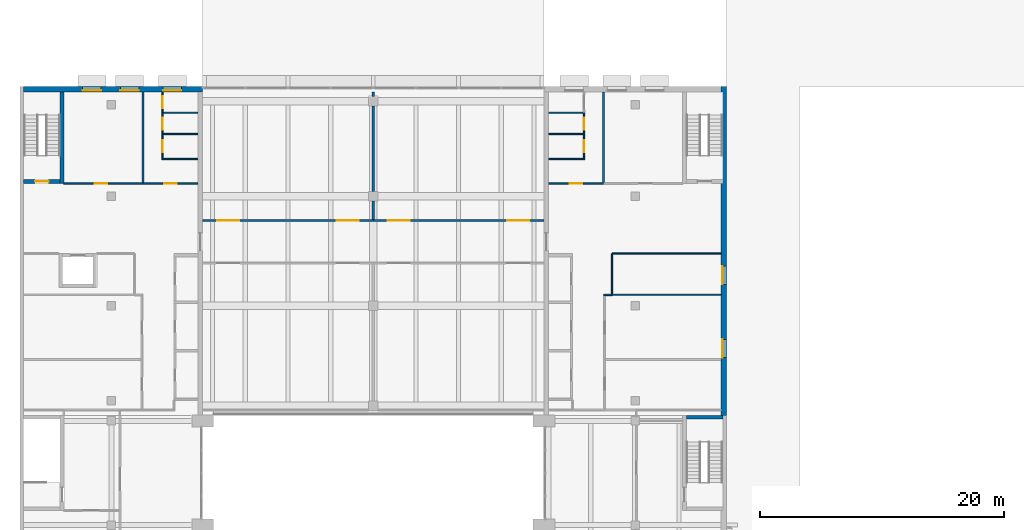
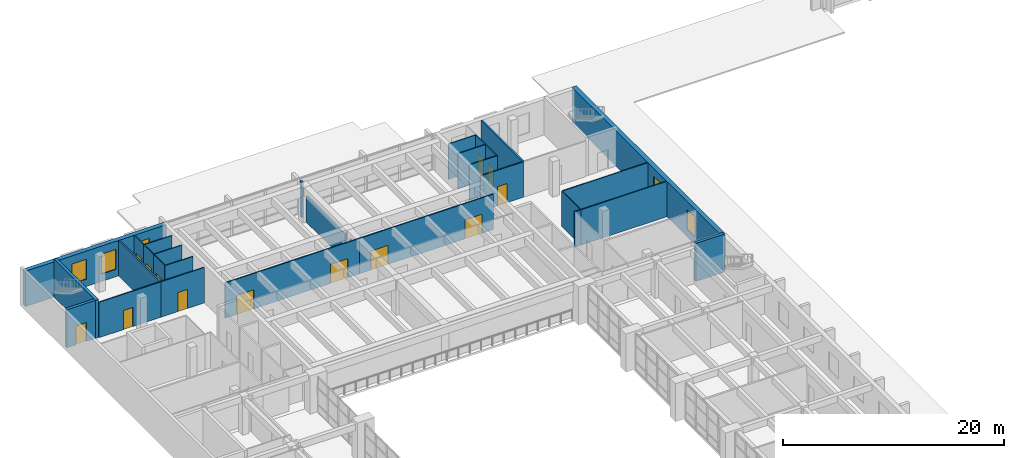
# One storey, part 33 of 45: 30 walls, 13 doors, 5 windows, 18 openings.
"""IFC4 building model written with IfcOpenShell, lengths in metres."""

from ifc_helpers import new_model, si_unit, direction, frame, frame_2d, origin, place, context, subcontext, project, spatial, rectangle, extrude, material, layer, layer_set, type_object, element, fill, save


model = new_model("IFC4")

# Units and contexts
model_context = context("Model", 3, precision=1e-05, world=origin(), true_north=direction((0.0, 1.0)))
body_context = subcontext(model_context, "Body", "Model", "MODEL_VIEW")
ifc_project = project(units=[si_unit("LENGTHUNIT", "METRE"), si_unit("AREAUNIT", "SQUARE_METRE"), si_unit("VOLUMEUNIT", "CUBIC_METRE"), si_unit("PLANEANGLEUNIT", "RADIAN"), si_unit("MASSUNIT", "GRAM", prefix="KILO")], contexts=[model_context])

# Site, building, storey
site_placement = place(None, origin())
site = spatial("IfcSite", under=ifc_project, at=site_placement, CompositionType="ELEMENT")
building_placement = place(site_placement, origin())
building = spatial("IfcBuilding", under=site, at=building_placement, Name="Elmora Arch Market Hall", CompositionType="ELEMENT")
storey_placement = place(building_placement, frame((0.0, 0.0, 6.0)))
storey = spatial("IfcBuildingStorey", under=building, at=storey_placement, Name="L01", CompositionType="ELEMENT", Elevation=6.0)

# Wall, openings, windows
ifc_material_1 = material(Name="Concrete C40/50", Category="concrete")
ifc_layer_1 = layer(ifc_material_1, 0.449951171875)
ifc_layer_set_1 = layer_set([ifc_layer_1], Name="Concrete C40/50")
wall_type_1 = type_object("IfcWallType", Name="Board-marked concrete wall 450", PredefinedType="SOLIDWALL", material=ifc_layer_set_1)
wall_1_placement = place(storey_placement, frame((57.77490234375, 126.0, 0.0), z_axis=(0.0, 0.0, 1.0), x_axis=(0.0, -1.0, 0.0)))
wall_1 = element("IfcWall", 1, at=wall_1_placement, inside=storey, type_object=wall_type_1, Name="Facade wall east NE L01", PredefinedType="SOLIDWALL", context=body_context, shape_type="SweptSolid", body=[
    extrude(rectangle(XDim=27.0, YDim=0.449951171875, at=frame_2d((13.5, 0.0))), origin(), (0.0, 0.0, 1.0), 3.89990234375),
])
opening_1_placement = place(wall_1_placement, frame((20.75, 0.0, 0.800048828125)))
opening_1 = element("IfcOpeningElement", 2, at=opening_1_placement, cuts=wall_1, Name="Opening WP2", PredefinedType="OPENING", context=body_context, shape_type="SweptSolid", body=[
    extrude(rectangle(XDim=1.5, YDim=2.199951171875, at=frame_2d((0.75, 1.10009765625))), frame((0.0, 0.23486328125, 0.0), z_axis=(0.0, -1.0, 0.0), x_axis=(1.0, 0.0, 0.0)), (0.0, 0.0, 1.0), 0.469970703125),
])
opening_2_placement = place(wall_1_placement, frame((14.75, 0.0, 0.800048828125)))
opening_2 = element("IfcOpeningElement", 3, at=opening_2_placement, cuts=wall_1, Name="Opening WP2", PredefinedType="OPENING", context=body_context, shape_type="SweptSolid", body=[
    extrude(rectangle(XDim=1.5, YDim=2.199951171875, at=frame_2d((0.75, 1.10009765625))), frame((0.0, 0.23486328125, 0.0), z_axis=(0.0, -1.0, 0.0), x_axis=(1.0, 0.0, 0.0)), (0.0, 0.0, 1.0), 0.469970703125),
])
ifc_material_2 = material(Name="Aluminium", Category="aluminium")
window_type = type_object("IfcWindowType", Name="Pavilion window 1500x2200", PartitioningType="SINGLE_PANEL", PredefinedType="WINDOW", material=ifc_material_2)
window_1_placement = place(opening_1_placement, origin())
window_1 = element("IfcWindow", 4, at=window_1_placement, inside=storey, type_object=window_type, Name="Window WP2 L01 E15", OverallHeight=2.199951171875, OverallWidth=1.5, PartitioningType="SINGLE_PANEL", PredefinedType="WINDOW", context=body_context, shape_type="SweptSolid", body=[
    extrude(rectangle(XDim=1.5, YDim=2.199951171875, at=frame_2d((0.75, 1.10009765625))), frame((0.0, -0.074951171875, 0.0), z_axis=(0.0, -1.0, 0.0), x_axis=(1.0, 0.0, 0.0)), (0.0, 0.0, 1.0), 0.06005859375),
])
fill(opening_1, window_1)
window_2_placement = place(opening_2_placement, origin())
window_2 = element("IfcWindow", 5, at=window_2_placement, inside=storey, type_object=window_type, Name="Window WP2 L01 E16", OverallHeight=2.199951171875, OverallWidth=1.5, PartitioningType="SINGLE_PANEL", PredefinedType="WINDOW", context=body_context, shape_type="SweptSolid", body=[
    extrude(rectangle(XDim=1.5, YDim=2.199951171875, at=frame_2d((0.75, 1.10009765625))), frame((0.0, -0.074951171875, 0.0), z_axis=(0.0, -1.0, 0.0), x_axis=(1.0, 0.0, 0.0)), (0.0, 0.0, 1.0), 0.06005859375),
])
fill(opening_2, window_2)

wall_2_placement = place(storey_placement, frame((0.300048828125, 125.77490234375, 0.0), z_axis=(0.0, 0.0, 1.0), x_axis=(1.0, 0.0, 0.0)))
wall_2 = element("IfcWall", 6, at=wall_2_placement, inside=storey, type_object=wall_type_1, Name="Facade wall north NW L01", PredefinedType="SOLIDWALL", context=body_context, shape_type="SweptSolid", body=[
    extrude(rectangle(XDim=14.699951171875, YDim=0.449951171875, at=frame_2d((7.35009765625, 0.0))), origin(), (0.0, 0.0, 1.0), 3.89990234375),
])
opening_3_placement = place(wall_2_placement, frame((4.85009765625, 0.0, 0.800048828125)))
opening_3 = element("IfcOpeningElement", 7, at=opening_3_placement, cuts=wall_2, Name="Opening WP2", PredefinedType="OPENING", context=body_context, shape_type="SweptSolid", body=[
    extrude(rectangle(XDim=1.5, YDim=2.199951171875, at=frame_2d((0.75, 1.10009765625))), frame((0.0, 0.23486328125, 0.0), z_axis=(0.0, -1.0, 0.0), x_axis=(1.0, 0.0, 0.0)), (0.0, 0.0, 1.0), 0.469970703125),
])
opening_4_placement = place(wall_2_placement, frame((7.949951171875, 0.0, 0.800048828125)))
opening_4 = element("IfcOpeningElement", 8, at=opening_4_placement, cuts=wall_2, Name="Opening WP2", PredefinedType="OPENING", context=body_context, shape_type="SweptSolid", body=[
    extrude(rectangle(XDim=1.5, YDim=2.199951171875, at=frame_2d((0.75, 1.10009765625))), frame((0.0, 0.23486328125, 0.0), z_axis=(0.0, -1.0, 0.0), x_axis=(1.0, 0.0, 0.0)), (0.0, 0.0, 1.0), 0.469970703125),
])
opening_5_placement = place(wall_2_placement, frame((11.449951171875, 0.0, 0.800048828125)))
opening_5 = element("IfcOpeningElement", 9, at=opening_5_placement, cuts=wall_2, Name="Opening WP2", PredefinedType="OPENING", context=body_context, shape_type="SweptSolid", body=[
    extrude(rectangle(XDim=1.5, YDim=2.199951171875, at=frame_2d((0.75, 1.10009765625))), frame((0.0, 0.23486328125, 0.0), z_axis=(0.0, -1.0, 0.0), x_axis=(1.0, 0.0, 0.0)), (0.0, 0.0, 1.0), 0.469970703125),
])
window_3_placement = place(opening_3_placement, origin())
window_3 = element("IfcWindow", 10, at=window_3_placement, inside=storey, type_object=window_type, Name="Window WP2 L01 N35", OverallHeight=2.199951171875, OverallWidth=1.5, PartitioningType="SINGLE_PANEL", PredefinedType="WINDOW", context=body_context, shape_type="SweptSolid", body=[
    extrude(rectangle(XDim=1.5, YDim=2.199951171875, at=frame_2d((0.75, 1.10009765625))), frame((0.0, -0.074951171875, 0.0), z_axis=(0.0, -1.0, 0.0), x_axis=(1.0, 0.0, 0.0)), (0.0, 0.0, 1.0), 0.06005859375),
])
fill(opening_3, window_3)
window_4_placement = place(opening_4_placement, origin())
window_4 = element("IfcWindow", 11, at=window_4_placement, inside=storey, type_object=window_type, Name="Window WP2 L01 N36", OverallHeight=2.199951171875, OverallWidth=1.5, PartitioningType="SINGLE_PANEL", PredefinedType="WINDOW", context=body_context, shape_type="SweptSolid", body=[
    extrude(rectangle(XDim=1.5, YDim=2.199951171875, at=frame_2d((0.75, 1.10009765625))), frame((0.0, -0.074951171875, 0.0), z_axis=(0.0, -1.0, 0.0), x_axis=(1.0, 0.0, 0.0)), (0.0, 0.0, 1.0), 0.06005859375),
])
fill(opening_4, window_4)
window_5_placement = place(opening_5_placement, origin())
window_5 = element("IfcWindow", 12, at=window_5_placement, inside=storey, type_object=window_type, Name="Window WP2 L01 N37", OverallHeight=2.199951171875, OverallWidth=1.5, PartitioningType="SINGLE_PANEL", PredefinedType="WINDOW", context=body_context, shape_type="SweptSolid", body=[
    extrude(rectangle(XDim=1.5, YDim=2.199951171875, at=frame_2d((0.75, 1.10009765625))), frame((0.0, -0.074951171875, 0.0), z_axis=(0.0, -1.0, 0.0), x_axis=(1.0, 0.0, 0.0)), (0.0, 0.0, 1.0), 0.06005859375),
])
fill(opening_5, window_5)

# Walls
ifc_material_3 = material(Name="Gypsum board on metal studs")
ifc_layer_2 = layer(ifc_material_3, 0.10009765625)
ifc_layer_set_2 = layer_set([ifc_layer_2], Name="Gypsum board on metal studs")
wall_type_2 = type_object("IfcWallType", Name="Partition 100", PredefinedType="PARTITIONING", material=ifc_layer_set_2)
wall_3_placement = place(storey_placement, frame((48.60009765625, 108.89990234375, 0.0), z_axis=(0.0, 0.0, 1.0), x_axis=(1.0, 0.0, 0.0)))
element("IfcWall", 13, at=wall_3_placement, inside=storey, type_object=wall_type_2, Name="Partition PT-L01-047", PredefinedType="PARTITIONING", context=body_context, shape_type="SweptSolid", body=[
    extrude(rectangle(XDim=8.949951171875, YDim=0.10009765625, at=frame_2d((4.47509765625, 0.0))), origin(), (0.0, 0.0, 1.0), 3.89990234375),
])
wall_4_placement = place(storey_placement, frame((48.610107421875, 112.300048828125, 0.0), z_axis=(0.0, 0.0, 1.0), x_axis=(1.0, 0.0, 0.0)))
element("IfcWall", 14, at=wall_4_placement, inside=storey, type_object=wall_type_2, Name="Partition PT-L01-052", PredefinedType="PARTITIONING", context=body_context, shape_type="SweptSolid", body=[
    extrude(rectangle(XDim=8.93994140625, YDim=0.10009765625, at=frame_2d((4.469970703125, 0.0))), origin(), (0.0, 0.0, 1.0), 3.89990234375),
])
for number, where, z_axis, x_axis, name in (
    (15, (11.64990234375, 120.050048828125, 0.0), (0.0, 0.0, 1.0), (1.0, 0.0, 0.0), "Partition PT-L01-059"),
    (16, (43.39990234375, 120.050048828125, 0.0), (0.0, 0.0, 1.0), (1.0, 0.0, 0.0), "Partition PT-L01-060"),
):
    element("IfcWall", number, at=place(storey_placement, frame(where, z_axis=z_axis, x_axis=x_axis)), inside=storey, type_object=wall_type_2, Name=name, PredefinedType="PARTITIONING", context=body_context, shape_type="SweptSolid", body=[
        extrude(rectangle(XDim=2.9501953125, YDim=0.10009765625, at=frame_2d((1.47509765625, 0.0))), origin(), (0.0, 0.0, 1.0), 3.89990234375),
    ])
for number, where, z_axis, x_axis, name in (
    (17, (11.75, 122.10009765625, 0.0), (0.0, 0.0, 1.0), (1.0, 0.0, 0.0), "Partition PT-L01-061"),
    (18, (43.39990234375, 122.10009765625, 0.0), (0.0, 0.0, 1.0), (1.0, 0.0, 0.0), "Partition PT-L01-062"),
    (19, (11.75, 123.85009765625, 0.0), (0.0, 0.0, 1.0), (1.0, 0.0, 0.0), "Partition PT-L01-063"),
    (20, (43.39990234375, 123.85009765625, 0.0), (0.0, 0.0, 1.0), (1.0, 0.0, 0.0), "Partition PT-L01-064"),
):
    element("IfcWall", number, at=place(storey_placement, frame(where, z_axis=z_axis, x_axis=x_axis)), inside=storey, type_object=wall_type_2, Name=name, PredefinedType="PARTITIONING", context=body_context, shape_type="SweptSolid", body=[
        extrude(rectangle(XDim=2.85009765625, YDim=0.10009765625, at=frame_2d((1.425048828125, 0.0))), origin(), (0.0, 0.0, 1.0), 3.89990234375),
    ])

# Wall, opening, door
wall_5_placement = place(storey_placement, frame((11.699951171875, 120.10009765625, 0.0), z_axis=(0.0, 0.0, 1.0), x_axis=(0.0, 1.0, 0.0)))
wall_5 = element("IfcWall", 21, at=wall_5_placement, inside=storey, type_object=wall_type_2, Name="Partition PT-L01-111", PredefinedType="PARTITIONING", context=body_context, shape_type="SweptSolid", body=[
    extrude(rectangle(XDim=2.0, YDim=0.10009765625, at=frame_2d((1.0, 0.0))), origin(), (0.0, 0.0, 1.0), 3.89990234375),
])
opening_6_placement = place(wall_5_placement, frame((0.5, 0.0, 0.0)))
opening_6 = element("IfcOpeningElement", 22, at=opening_6_placement, cuts=wall_5, Name="Opening D-L01-064", PredefinedType="OPENING", context=body_context, shape_type="SweptSolid", body=[
    extrude(rectangle(XDim=1.0, YDim=2.10009765625, at=frame_2d((0.5, 1.050048828125))), frame((0.0, 0.06005859375, 0.0), z_axis=(0.0, -1.0, 0.0), x_axis=(1.0, 0.0, 0.0)), (0.0, 0.0, 1.0), 0.1201171875),
])
ifc_material_4 = material(Name="Timber door set", Category="wood")
door_type_1 = type_object("IfcDoorType", Name="Door 1000 x 2100", OperationType="SINGLE_SWING_LEFT", PredefinedType="DOOR", material=ifc_material_4)
door_1_placement = place(opening_6_placement, frame((1.0, 0.0, 0.0), z_axis=(0.0, 0.0, 1.0), x_axis=(-1.0, 0.0, 0.0)))
door_1 = element("IfcDoor", 23, at=door_1_placement, inside=storey, type_object=door_type_1, Name="D-L01-064", OperationType="SINGLE_SWING_LEFT", OverallHeight=2.10009765625, OverallWidth=1.0, PredefinedType="DOOR", context=body_context, shape_type="SweptSolid", body=[
    extrude(rectangle(XDim=1.0, YDim=2.10009765625, at=frame_2d((0.5, 1.050048828125))), frame((0.0, 0.02490234375, 0.0), z_axis=(0.0, -1.0, 0.0), x_axis=(1.0, 0.0, 0.0)), (0.0, 0.0, 1.0), 0.050048828125),
])
fill(opening_6, door_1)

wall_6_placement = place(storey_placement, frame((11.699951171875, 122.10009765625, 0.0), z_axis=(0.0, 0.0, 1.0), x_axis=(0.0, 1.0, 0.0)))
wall_6 = element("IfcWall", 24, at=wall_6_placement, inside=storey, type_object=wall_type_2, Name="Partition PT-L01-112", PredefinedType="PARTITIONING", context=body_context, shape_type="SweptSolid", body=[
    extrude(rectangle(XDim=1.75, YDim=0.10009765625, at=frame_2d((0.875, 0.0))), origin(), (0.0, 0.0, 1.0), 3.89990234375),
])
opening_7_placement = place(wall_6_placement, frame((0.35009765625, 0.0, 0.0)))
opening_7 = element("IfcOpeningElement", 25, at=opening_7_placement, cuts=wall_6, Name="Opening D-L01-066", PredefinedType="OPENING", context=body_context, shape_type="SweptSolid", body=[
    extrude(rectangle(XDim=1.0, YDim=2.10009765625, at=frame_2d((0.5, 1.050048828125))), frame((0.0, 0.06005859375, 0.0), z_axis=(0.0, -1.0, 0.0), x_axis=(1.0, 0.0, 0.0)), (0.0, 0.0, 1.0), 0.1201171875),
])
door_2_placement = place(opening_7_placement, frame((1.0, 0.0, 0.0), z_axis=(0.0, 0.0, 1.0), x_axis=(-1.0, 0.0, 0.0)))
door_2 = element("IfcDoor", 26, at=door_2_placement, inside=storey, type_object=door_type_1, Name="D-L01-066", OperationType="SINGLE_SWING_RIGHT", OverallHeight=2.10009765625, OverallWidth=1.0, PredefinedType="DOOR", context=body_context, shape_type="SweptSolid", body=[
    extrude(rectangle(XDim=1.0, YDim=2.10009765625, at=frame_2d((0.5, 1.050048828125))), frame((0.0, 0.02490234375, 0.0), z_axis=(0.0, -1.0, 0.0), x_axis=(1.0, 0.0, 0.0)), (0.0, 0.0, 1.0), 0.050048828125),
])
fill(opening_7, door_2)

wall_7_placement = place(storey_placement, frame((11.699951171875, 123.85009765625, 0.0), z_axis=(0.0, 0.0, 1.0), x_axis=(0.0, 1.0, 0.0)))
wall_7 = element("IfcWall", 27, at=wall_7_placement, inside=storey, type_object=wall_type_2, Name="Partition PT-L01-113", PredefinedType="PARTITIONING", context=body_context, shape_type="SweptSolid", body=[
    extrude(rectangle(XDim=1.699951171875, YDim=0.10009765625, at=frame_2d((0.85009765625, 0.0))), origin(), (0.0, 0.0, 1.0), 3.89990234375),
])
opening_8_placement = place(wall_7_placement, frame((0.35009765625, 0.0, 0.0)))
opening_8 = element("IfcOpeningElement", 28, at=opening_8_placement, cuts=wall_7, Name="Opening D-L01-068", PredefinedType="OPENING", context=body_context, shape_type="SweptSolid", body=[
    extrude(rectangle(XDim=1.0, YDim=2.10009765625, at=frame_2d((0.5, 1.050048828125))), frame((0.0, 0.06005859375, 0.0), z_axis=(0.0, -1.0, 0.0), x_axis=(1.0, 0.0, 0.0)), (0.0, 0.0, 1.0), 0.1201171875),
])
door_3_placement = place(opening_8_placement, frame((1.0, 0.0, 0.0), z_axis=(0.0, 0.0, 1.0), x_axis=(-1.0, 0.0, 0.0)))
door_3 = element("IfcDoor", 29, at=door_3_placement, inside=storey, type_object=door_type_1, Name="D-L01-068", OperationType="SINGLE_SWING_RIGHT", OverallHeight=2.10009765625, OverallWidth=1.0, PredefinedType="DOOR", context=body_context, shape_type="SweptSolid", body=[
    extrude(rectangle(XDim=1.0, YDim=2.10009765625, at=frame_2d((0.5, 1.050048828125))), frame((0.0, 0.02490234375, 0.0), z_axis=(0.0, -1.0, 0.0), x_axis=(1.0, 0.0, 0.0)), (0.0, 0.0, 1.0), 0.050048828125),
])
fill(opening_8, door_3)

wall_8_placement = place(storey_placement, frame((46.300048828125, 120.10009765625, 0.0), z_axis=(0.0, 0.0, 1.0), x_axis=(0.0, 1.0, 0.0)))
wall_8 = element("IfcWall", 30, at=wall_8_placement, inside=storey, type_object=wall_type_2, Name="Partition PT-L01-118", PredefinedType="PARTITIONING", context=body_context, shape_type="SweptSolid", body=[
    extrude(rectangle(XDim=2.0, YDim=0.10009765625, at=frame_2d((1.0, 0.0))), origin(), (0.0, 0.0, 1.0), 3.89990234375),
])
opening_9_placement = place(wall_8_placement, frame((0.5, 0.0, 0.0)))
opening_9 = element("IfcOpeningElement", 31, at=opening_9_placement, cuts=wall_8, Name="Opening D-L01-065", PredefinedType="OPENING", context=body_context, shape_type="SweptSolid", body=[
    extrude(rectangle(XDim=1.0, YDim=2.10009765625, at=frame_2d((0.5, 1.050048828125))), frame((0.0, 0.06005859375, 0.0), z_axis=(0.0, -1.0, 0.0), x_axis=(1.0, 0.0, 0.0)), (0.0, 0.0, 1.0), 0.1201171875),
])
door_4_placement = place(opening_9_placement, origin())
door_4 = element("IfcDoor", 32, at=door_4_placement, inside=storey, type_object=door_type_1, Name="D-L01-065", OperationType="SINGLE_SWING_RIGHT", OverallHeight=2.10009765625, OverallWidth=1.0, PredefinedType="DOOR", context=body_context, shape_type="SweptSolid", body=[
    extrude(rectangle(XDim=1.0, YDim=2.10009765625, at=frame_2d((0.5, 1.050048828125))), frame((0.0, 0.02490234375, 0.0), z_axis=(0.0, -1.0, 0.0), x_axis=(1.0, 0.0, 0.0)), (0.0, 0.0, 1.0), 0.050048828125),
])
fill(opening_9, door_4)

wall_9_placement = place(storey_placement, frame((46.300048828125, 122.10009765625, 0.0), z_axis=(0.0, 0.0, 1.0), x_axis=(0.0, 1.0, 0.0)))
wall_9 = element("IfcWall", 33, at=wall_9_placement, inside=storey, type_object=wall_type_2, Name="Partition PT-L01-119", PredefinedType="PARTITIONING", context=body_context, shape_type="SweptSolid", body=[
    extrude(rectangle(XDim=1.75, YDim=0.10009765625, at=frame_2d((0.875, 0.0))), origin(), (0.0, 0.0, 1.0), 3.89990234375),
])
opening_10_placement = place(wall_9_placement, frame((0.35009765625, 0.0, 0.0)))
opening_10 = element("IfcOpeningElement", 34, at=opening_10_placement, cuts=wall_9, Name="Opening D-L01-067", PredefinedType="OPENING", context=body_context, shape_type="SweptSolid", body=[
    extrude(rectangle(XDim=1.0, YDim=2.10009765625, at=frame_2d((0.5, 1.050048828125))), frame((0.0, 0.06005859375, 0.0), z_axis=(0.0, -1.0, 0.0), x_axis=(1.0, 0.0, 0.0)), (0.0, 0.0, 1.0), 0.1201171875),
])
door_5_placement = place(opening_10_placement, origin())
door_5 = element("IfcDoor", 35, at=door_5_placement, inside=storey, type_object=door_type_1, Name="D-L01-067", OperationType="SINGLE_SWING_LEFT", OverallHeight=2.10009765625, OverallWidth=1.0, PredefinedType="DOOR", context=body_context, shape_type="SweptSolid", body=[
    extrude(rectangle(XDim=1.0, YDim=2.10009765625, at=frame_2d((0.5, 1.050048828125))), frame((0.0, 0.02490234375, 0.0), z_axis=(0.0, -1.0, 0.0), x_axis=(1.0, 0.0, 0.0)), (0.0, 0.0, 1.0), 0.050048828125),
])
fill(opening_10, door_5)

# Walls
wall_10_placement = place(storey_placement, frame((48.60009765625, 108.96240234375, 0.0), z_axis=(0.0, 0.0, 1.0), x_axis=(0.0, 1.0, 0.0)))
element("IfcWall", 36, at=wall_10_placement, inside=storey, type_object=wall_type_2, Name="Partition PT-L01-124", PredefinedType="PARTITIONING", context=body_context, shape_type="SweptSolid", body=[
    extrude(rectangle(XDim=3.32763671875, YDim=0.10009765625, at=frame_2d((1.663818359375, 0.0))), origin(), (0.0, 0.0, 1.0), 3.89990234375),
])
ifc_material_5 = material(Name="Gypsum board on metal studs")
ifc_layer_3 = layer(ifc_material_5, 0.125)
ifc_layer_set_3 = layer_set([ifc_layer_3], Name="Gypsum board on metal studs")
wall_type_3 = type_object("IfcWallType", Name="Partition 125 EI 60", PredefinedType="PARTITIONING", material=ifc_layer_set_3)
wall_11_placement = place(storey_placement, frame((47.9375, 108.89990234375, 0.0), z_axis=(0.0, 0.0, 1.0), x_axis=(1.0, 0.0, 0.0)))
element("IfcWall", 37, at=wall_11_placement, inside=storey, type_object=wall_type_3, Name="Partition PT-L01-046", PredefinedType="PARTITIONING", context=body_context, shape_type="SweptSolid", body=[
    extrude(rectangle(XDim=0.66259765625, YDim=0.125, at=frame_2d((0.331298828125, 0.0))), origin(), (0.0, 0.0, 1.0), 3.89990234375),
])

# Wall, openings, doors
wall_12_placement = place(storey_placement, frame((15.0, 115.0, 0.0), z_axis=(0.0, 0.0, 1.0), x_axis=(1.0, 0.0, 0.0)))
wall_12 = element("IfcWall", 38, at=wall_12_placement, inside=storey, type_object=wall_type_3, Name="Partition PT-L01-053", PredefinedType="PARTITIONING", context=body_context, shape_type="SweptSolid", body=[
    extrude(rectangle(XDim=14.0, YDim=0.125, at=frame_2d((7.0, 0.0))), origin(), (0.0, 0.0, 1.0), 3.89990234375),
])
opening_11_placement = place(wall_12_placement, frame((1.199951171875, 0.0, 0.0)))
opening_11 = element("IfcOpeningElement", 39, at=opening_11_placement, cuts=wall_12, Name="Opening D-L01-056", PredefinedType="OPENING", context=body_context, shape_type="SweptSolid", body=[
    extrude(rectangle(XDim=1.800048828125, YDim=2.10009765625, at=frame_2d((0.89990234375, 1.050048828125))), frame((0.0, 0.072509765625, 0.0), z_axis=(0.0, -1.0, 0.0), x_axis=(1.0, 0.0, 0.0)), (0.0, 0.0, 1.0), 0.14501953125),
])
opening_12_placement = place(wall_12_placement, frame((11.0, 0.0, 0.0)))
opening_12 = element("IfcOpeningElement", 40, at=opening_12_placement, cuts=wall_12, Name="Opening D-L01-057", PredefinedType="OPENING", context=body_context, shape_type="SweptSolid", body=[
    extrude(rectangle(XDim=1.800048828125, YDim=2.10009765625, at=frame_2d((0.89990234375, 1.050048828125))), frame((0.0, 0.072509765625, 0.0), z_axis=(0.0, -1.0, 0.0), x_axis=(1.0, 0.0, 0.0)), (0.0, 0.0, 1.0), 0.14501953125),
])
ifc_material_6 = material(Name="Steel ASTM A653 galvanised", Category="steel")
door_type_2 = type_object("IfcDoorType", Name="Double door 1800 x 2100 FD20", OperationType="DOUBLE_DOOR_SINGLE_SWING", PredefinedType="DOOR", material=ifc_material_6)
door_6_placement = place(opening_11_placement, origin())
door_6 = element("IfcDoor", 41, at=door_6_placement, inside=storey, type_object=door_type_2, Name="D-L01-056", OperationType="DOUBLE_DOOR_SINGLE_SWING", OverallHeight=2.10009765625, OverallWidth=1.800048828125, PredefinedType="DOOR", context=body_context, shape_type="SweptSolid", body=[
    extrude(rectangle(XDim=1.800048828125, YDim=2.10009765625, at=frame_2d((0.89990234375, 1.050048828125))), frame((0.0, 0.02490234375, 0.0), z_axis=(0.0, -1.0, 0.0), x_axis=(1.0, 0.0, 0.0)), (0.0, 0.0, 1.0), 0.050048828125),
])
fill(opening_11, door_6)
door_7_placement = place(opening_12_placement, origin())
door_7 = element("IfcDoor", 42, at=door_7_placement, inside=storey, type_object=door_type_2, Name="D-L01-057", OperationType="DOUBLE_DOOR_SINGLE_SWING", OverallHeight=2.10009765625, OverallWidth=1.800048828125, PredefinedType="DOOR", context=body_context, shape_type="SweptSolid", body=[
    extrude(rectangle(XDim=1.800048828125, YDim=2.10009765625, at=frame_2d((0.89990234375, 1.050048828125))), frame((0.0, 0.02490234375, 0.0), z_axis=(0.0, -1.0, 0.0), x_axis=(1.0, 0.0, 0.0)), (0.0, 0.0, 1.0), 0.050048828125),
])
fill(opening_12, door_7)

wall_13_placement = place(storey_placement, frame((29.0, 115.0, 0.0), z_axis=(0.0, 0.0, 1.0), x_axis=(1.0, 0.0, 0.0)))
wall_13 = element("IfcWall", 43, at=wall_13_placement, inside=storey, type_object=wall_type_3, Name="Partition PT-L01-054", PredefinedType="PARTITIONING", context=body_context, shape_type="SweptSolid", body=[
    extrude(rectangle(XDim=14.0, YDim=0.125, at=frame_2d((7.0, 0.0))), origin(), (0.0, 0.0, 1.0), 3.89990234375),
])
opening_13_placement = place(wall_13_placement, frame((1.199951171875, 0.0, 0.0)))
opening_13 = element("IfcOpeningElement", 44, at=opening_13_placement, cuts=wall_13, Name="Opening D-L01-058", PredefinedType="OPENING", context=body_context, shape_type="SweptSolid", body=[
    extrude(rectangle(XDim=1.800048828125, YDim=2.10009765625, at=frame_2d((0.89990234375, 1.050048828125))), frame((0.0, 0.072509765625, 0.0), z_axis=(0.0, -1.0, 0.0), x_axis=(1.0, 0.0, 0.0)), (0.0, 0.0, 1.0), 0.14501953125),
])
opening_14_placement = place(wall_13_placement, frame((11.0, 0.0, 0.0)))
opening_14 = element("IfcOpeningElement", 45, at=opening_14_placement, cuts=wall_13, Name="Opening D-L01-059", PredefinedType="OPENING", context=body_context, shape_type="SweptSolid", body=[
    extrude(rectangle(XDim=1.800048828125, YDim=2.10009765625, at=frame_2d((0.89990234375, 1.050048828125))), frame((0.0, 0.072509765625, 0.0), z_axis=(0.0, -1.0, 0.0), x_axis=(1.0, 0.0, 0.0)), (0.0, 0.0, 1.0), 0.14501953125),
])
door_8_placement = place(opening_13_placement, origin())
door_8 = element("IfcDoor", 46, at=door_8_placement, inside=storey, type_object=door_type_2, Name="D-L01-058", OperationType="DOUBLE_DOOR_SINGLE_SWING", OverallHeight=2.10009765625, OverallWidth=1.800048828125, PredefinedType="DOOR", context=body_context, shape_type="SweptSolid", body=[
    extrude(rectangle(XDim=1.800048828125, YDim=2.10009765625, at=frame_2d((0.89990234375, 1.050048828125))), frame((0.0, 0.02490234375, 0.0), z_axis=(0.0, -1.0, 0.0), x_axis=(1.0, 0.0, 0.0)), (0.0, 0.0, 1.0), 0.050048828125),
])
fill(opening_13, door_8)
door_9_placement = place(opening_14_placement, origin())
door_9 = element("IfcDoor", 47, at=door_9_placement, inside=storey, type_object=door_type_2, Name="D-L01-059", OperationType="DOUBLE_DOOR_SINGLE_SWING", OverallHeight=2.10009765625, OverallWidth=1.800048828125, PredefinedType="DOOR", context=body_context, shape_type="SweptSolid", body=[
    extrude(rectangle(XDim=1.800048828125, YDim=2.10009765625, at=frame_2d((0.89990234375, 1.050048828125))), frame((0.0, 0.02490234375, 0.0), z_axis=(0.0, -1.0, 0.0), x_axis=(1.0, 0.0, 0.0)), (0.0, 0.0, 1.0), 0.050048828125),
])
fill(opening_14, door_9)

# Wall, opening, door
wall_14_placement = place(storey_placement, frame((3.60009765625, 118.050048828125, 0.0), z_axis=(0.0, 0.0, 1.0), x_axis=(1.0, 0.0, 0.0)))
wall_14 = element("IfcWall", 48, at=wall_14_placement, inside=storey, type_object=wall_type_3, Name="Partition PT-L01-055", PredefinedType="PARTITIONING", context=body_context, shape_type="SweptSolid", body=[
    extrude(rectangle(XDim=6.5, YDim=0.125, at=frame_2d((3.25, 0.0))), origin(), (0.0, 0.0, 1.0), 3.89990234375),
])
opening_15_placement = place(wall_14_placement, frame((2.550048828125, 0.0, 0.0)))
opening_15 = element("IfcOpeningElement", 49, at=opening_15_placement, cuts=wall_14, Name="Opening D-L01-060", PredefinedType="OPENING", context=body_context, shape_type="SweptSolid", body=[
    extrude(rectangle(XDim=1.0, YDim=2.10009765625, at=frame_2d((0.5, 1.050048828125))), frame((0.0, 0.072509765625, 0.0), z_axis=(0.0, -1.0, 0.0), x_axis=(1.0, 0.0, 0.0)), (0.0, 0.0, 1.0), 0.14501953125),
])
ifc_material_7 = material(Name="Steel ASTM A653 galvanised", Category="steel")
door_type_3 = type_object("IfcDoorType", Name="Door 1000 x 2100 FD45", OperationType="SINGLE_SWING_LEFT", PredefinedType="DOOR", material=ifc_material_7)
door_10_placement = place(opening_15_placement, origin())
door_10 = element("IfcDoor", 50, at=door_10_placement, inside=storey, type_object=door_type_3, Name="D-L01-060", OperationType="SINGLE_SWING_LEFT", OverallHeight=2.10009765625, OverallWidth=1.0, PredefinedType="DOOR", context=body_context, shape_type="SweptSolid", body=[
    extrude(rectangle(XDim=1.0, YDim=2.10009765625, at=frame_2d((0.5, 1.050048828125))), frame((0.0, 0.02490234375, 0.0), z_axis=(0.0, -1.0, 0.0), x_axis=(1.0, 0.0, 0.0)), (0.0, 0.0, 1.0), 0.050048828125),
])
fill(opening_15, door_10)

wall_15_placement = place(storey_placement, frame((10.10009765625, 118.050048828125, 0.0), z_axis=(0.0, 0.0, 1.0), x_axis=(1.0, 0.0, 0.0)))
wall_15 = element("IfcWall", 51, at=wall_15_placement, inside=storey, type_object=wall_type_3, Name="Partition PT-L01-056", PredefinedType="PARTITIONING", context=body_context, shape_type="SweptSolid", body=[
    extrude(rectangle(XDim=4.5, YDim=0.125, at=frame_2d((2.25, 0.0))), origin(), (0.0, 0.0, 1.0), 3.89990234375),
])
opening_16_placement = place(wall_15_placement, frame((1.75, 0.0, 0.0)))
opening_16 = element("IfcOpeningElement", 52, at=opening_16_placement, cuts=wall_15, Name="Opening D-L01-061", PredefinedType="OPENING", context=body_context, shape_type="SweptSolid", body=[
    extrude(rectangle(XDim=1.0, YDim=2.10009765625, at=frame_2d((0.5, 1.050048828125))), frame((0.0, 0.072509765625, 0.0), z_axis=(0.0, -1.0, 0.0), x_axis=(1.0, 0.0, 0.0)), (0.0, 0.0, 1.0), 0.14501953125),
])
ifc_material_8 = material(Name="Steel ASTM A653 galvanised", Category="steel")
door_type_4 = type_object("IfcDoorType", Name="Door 1000 x 2100 FD20", OperationType="SINGLE_SWING_LEFT", PredefinedType="DOOR", material=ifc_material_8)
door_11_placement = place(opening_16_placement, origin())
door_11 = element("IfcDoor", 53, at=door_11_placement, inside=storey, type_object=door_type_4, Name="D-L01-061", OperationType="SINGLE_SWING_LEFT", OverallHeight=2.10009765625, OverallWidth=1.0, PredefinedType="DOOR", context=body_context, shape_type="SweptSolid", body=[
    extrude(rectangle(XDim=1.0, YDim=2.10009765625, at=frame_2d((0.5, 1.050048828125))), frame((0.0, 0.02490234375, 0.0), z_axis=(0.0, -1.0, 0.0), x_axis=(1.0, 0.0, 0.0)), (0.0, 0.0, 1.0), 0.050048828125),
])
fill(opening_16, door_11)

wall_16_placement = place(storey_placement, frame((43.39990234375, 118.050048828125, 0.0), z_axis=(0.0, 0.0, 1.0), x_axis=(1.0, 0.0, 0.0)))
wall_16 = element("IfcWall", 54, at=wall_16_placement, inside=storey, type_object=wall_type_3, Name="Partition PT-L01-057", PredefinedType="PARTITIONING", context=body_context, shape_type="SweptSolid", body=[
    extrude(rectangle(XDim=4.5, YDim=0.125, at=frame_2d((2.25, 0.0))), origin(), (0.0, 0.0, 1.0), 3.89990234375),
])
opening_17_placement = place(wall_16_placement, frame((1.75, 0.0, 0.0)))
opening_17 = element("IfcOpeningElement", 55, at=opening_17_placement, cuts=wall_16, Name="Opening D-L01-062", PredefinedType="OPENING", context=body_context, shape_type="SweptSolid", body=[
    extrude(rectangle(XDim=1.0, YDim=2.10009765625, at=frame_2d((0.5, 1.050048828125))), frame((0.0, 0.072509765625, 0.0), z_axis=(0.0, -1.0, 0.0), x_axis=(1.0, 0.0, 0.0)), (0.0, 0.0, 1.0), 0.14501953125),
])
door_12_placement = place(opening_17_placement, origin())
door_12 = element("IfcDoor", 56, at=door_12_placement, inside=storey, type_object=door_type_4, Name="D-L01-062", OperationType="SINGLE_SWING_RIGHT", OverallHeight=2.10009765625, OverallWidth=1.0, PredefinedType="DOOR", context=body_context, shape_type="SweptSolid", body=[
    extrude(rectangle(XDim=1.0, YDim=2.10009765625, at=frame_2d((0.5, 1.050048828125))), frame((0.0, 0.02490234375, 0.0), z_axis=(0.0, -1.0, 0.0), x_axis=(1.0, 0.0, 0.0)), (0.0, 0.0, 1.0), 0.050048828125),
])
fill(opening_17, door_12)

# Walls
ifc_material_9 = material(Name="Gypsum board on metal studs")
ifc_layer_4 = layer(ifc_material_9, 0.175048828125)
ifc_layer_set_4 = layer_set([ifc_layer_4], Name="Gypsum board on metal studs")
wall_type_4 = type_object("IfcWallType", Name="Partition 175 EI 60", PredefinedType="PARTITIONING", material=ifc_layer_set_4)
wall_17_placement = place(storey_placement, frame((10.10009765625, 118.112548828125, 0.0), z_axis=(0.0, 0.0, 1.0), x_axis=(0.0, 1.0, 0.0)))
element("IfcWall", 57, at=wall_17_placement, inside=storey, type_object=wall_type_4, Name="Partition PT-L01-110", PredefinedType="PARTITIONING", context=body_context, shape_type="SweptSolid", body=[
    extrude(rectangle(XDim=7.4375, YDim=0.175048828125, at=frame_2d((3.71875, 0.0))), origin(), (0.0, 0.0, 1.0), 3.89990234375),
])
wall_18_placement = place(storey_placement, frame((29.0, 115.0625, 0.0), z_axis=(0.0, 0.0, 1.0), x_axis=(0.0, 1.0, 0.0)))
element("IfcWall", 58, at=wall_18_placement, inside=storey, type_object=wall_type_4, Name="Partition PT-L01-116-116", PredefinedType="PARTITIONING", context=body_context, shape_type="SweptSolid", body=[
    extrude(rectangle(XDim=1.53759765625, YDim=0.175048828125, at=frame_2d((0.768798828125, 0.0))), origin(), (0.0, 0.0, 1.0), 2.89990234375),
])
wall_19_placement = place(storey_placement, frame((29.0, 117.39990234375, 0.0), z_axis=(0.0, 0.0, 1.0), x_axis=(0.0, 1.0, 0.0)))
element("IfcWall", 59, at=wall_19_placement, inside=storey, type_object=wall_type_4, Name="Partition PT-L01-116-117", PredefinedType="PARTITIONING", context=body_context, shape_type="SweptSolid", body=[
    extrude(rectangle(XDim=7.0, YDim=0.175048828125, at=frame_2d((3.5, 0.0))), origin(), (0.0, 0.0, 1.0), 2.89990234375),
])
wall_20_placement = place(storey_placement, frame((29.0, 125.199951171875, 0.0), z_axis=(0.0, 0.0, 1.0), x_axis=(0.0, 1.0, 0.0)))
element("IfcWall", 60, at=wall_20_placement, inside=storey, type_object=wall_type_4, Name="Partition PT-L01-116-118", PredefinedType="PARTITIONING", context=body_context, shape_type="SweptSolid", body=[
    extrude(rectangle(XDim=0.35009765625, YDim=0.175048828125, at=frame_2d((0.175048828125, 0.0))), origin(), (0.0, 0.0, 1.0), 3.89990234375),
])
wall_21_placement = place(storey_placement, frame((47.89990234375, 118.112548828125, 0.0), z_axis=(0.0, 0.0, 1.0), x_axis=(0.0, 1.0, 0.0)))
element("IfcWall", 61, at=wall_21_placement, inside=storey, type_object=wall_type_4, Name="Partition PT-L01-121", PredefinedType="PARTITIONING", context=body_context, shape_type="SweptSolid", body=[
    extrude(rectangle(XDim=7.4375, YDim=0.175048828125, at=frame_2d((3.71875, 0.0))), origin(), (0.0, 0.0, 1.0), 3.89990234375),
])
ifc_material_10 = material(Name="Concrete C40/50", Category="concrete")
ifc_layer_5 = layer(ifc_material_10, 0.300048828125)
ifc_layer_set_5 = layer_set([ifc_layer_5], Name="Concrete C40/50")
wall_type_5 = type_object("IfcWallType", Name="Stair wall 300", PredefinedType="SHEAR", material=ifc_layer_set_5)
wall_22_placement = place(storey_placement, frame((3.449951171875, 118.050048828125, 0.0), z_axis=(0.0, 0.0, 1.0), x_axis=(0.0, 1.0, 0.0)))
element("IfcWall", 62, at=wall_22_placement, inside=storey, type_object=wall_type_5, Name="Stair wall ST-W E L01", PredefinedType="SHEAR", context=body_context, shape_type="SweptSolid", body=[
    extrude(rectangle(XDim=7.5, YDim=0.300048828125, at=frame_2d((3.75, 0.0))), origin(), (0.0, 0.0, 1.0), 4.199951171875),
])

# Wall, opening, door
wall_23_placement = place(storey_placement, frame((0.300048828125, 118.199951171875, 0.0), z_axis=(0.0, 0.0, 1.0), x_axis=(1.0, 0.0, 0.0)))
wall_23 = element("IfcWall", 63, at=wall_23_placement, inside=storey, type_object=wall_type_5, Name="Stair wall ST-W S L01", PredefinedType="SHEAR", context=body_context, shape_type="SweptSolid", body=[
    extrude(rectangle(XDim=3.0, YDim=0.300048828125, at=frame_2d((1.5, 0.0))), origin(), (0.0, 0.0, 1.0), 4.199951171875),
])
opening_18_placement = place(wall_23_placement, frame((0.949951171875, 0.0, 0.0)))
opening_18 = element("IfcOpeningElement", 64, at=opening_18_placement, cuts=wall_23, Name="Opening ST-W-L01", PredefinedType="OPENING", context=body_context, shape_type="SweptSolid", body=[
    extrude(rectangle(XDim=1.10009765625, YDim=2.10009765625, at=frame_2d((0.550048828125, 1.050048828125))), frame((0.0, 0.159912109375, 0.0), z_axis=(0.0, -1.0, 0.0), x_axis=(1.0, 0.0, 0.0)), (0.0, 0.0, 1.0), 0.320068359375),
])
ifc_material_11 = material(Name="Steel ASTM A653 galvanised", Category="steel")
door_type_5 = type_object("IfcDoorType", Name="Stair door 1100 x 2100 FD90", OperationType="SINGLE_SWING_LEFT", PredefinedType="DOOR", material=ifc_material_11)
door_13_placement = place(opening_18_placement, origin())
door_13 = element("IfcDoor", 65, at=door_13_placement, inside=storey, type_object=door_type_5, Name="Stair door ST-W L01", OperationType="SINGLE_SWING_LEFT", OverallHeight=2.10009765625, OverallWidth=1.10009765625, PredefinedType="DOOR", context=body_context, shape_type="SweptSolid", body=[
    extrude(rectangle(XDim=1.10009765625, YDim=2.10009765625, at=frame_2d((0.550048828125, 1.050048828125))), frame((0.0, 0.02490234375, 0.0), z_axis=(0.0, -1.0, 0.0), x_axis=(1.0, 0.0, 0.0)), (0.0, 0.0, 1.0), 0.050048828125),
])
fill(opening_18, door_13)

# Wall
wall_24_placement = place(storey_placement, frame((54.699951171875, 98.85009765625, 0.0), z_axis=(0.0, 0.0, 1.0), x_axis=(1.0, 0.0, 0.0)))
element("IfcWall", 66, at=wall_24_placement, inside=storey, type_object=wall_type_5, Name="Stair wall ST-EN N L01", PredefinedType="SHEAR", context=body_context, shape_type="SweptSolid", body=[
    extrude(rectangle(XDim=3.0, YDim=0.300048828125, at=frame_2d((1.5, 0.0))), origin(), (0.0, 0.0, 1.0), 4.199951171875),
])

save(model, "model.ifc")
